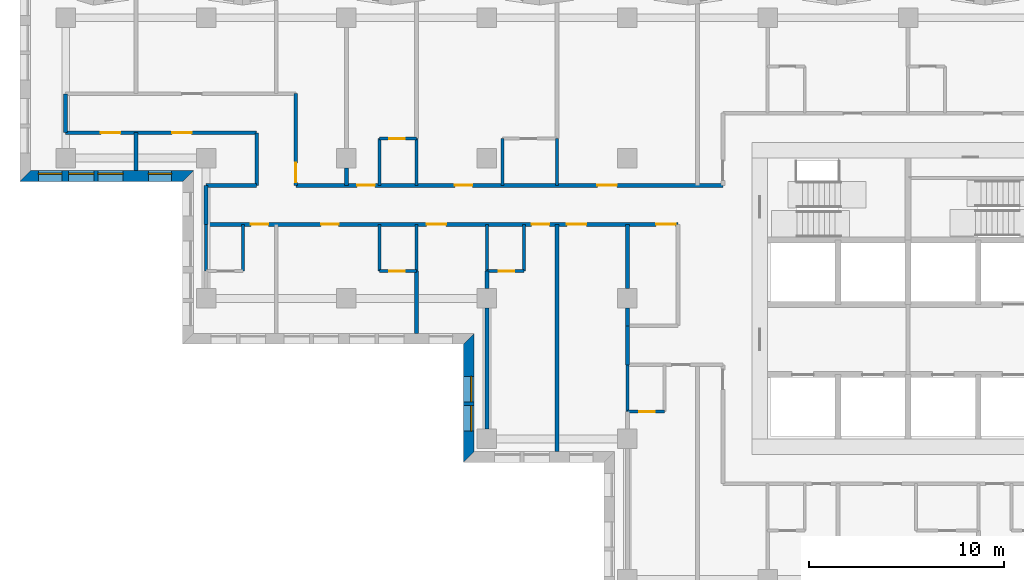
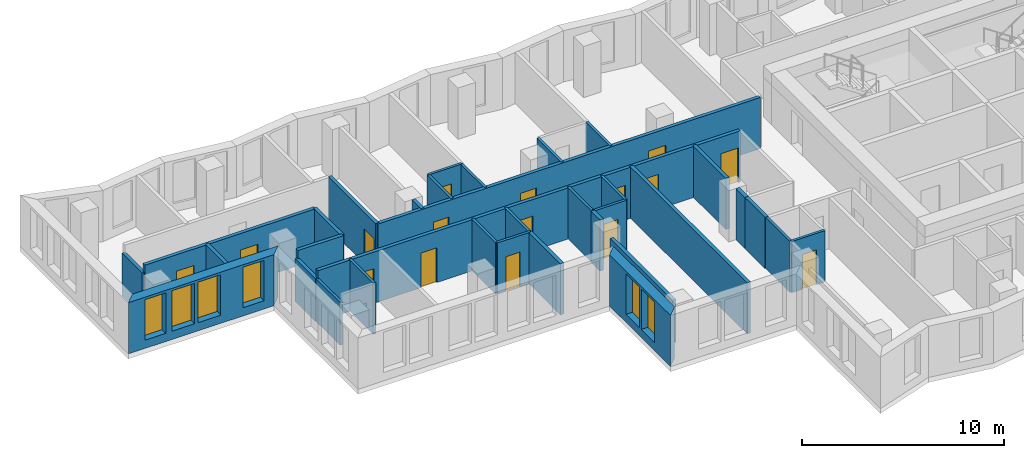
# One storey, part 4 of 13: 34 walls, 16 doors, 6 windows, 22 openings.
"""IFC4 building model written with IfcOpenShell, lengths in metres."""

from ifc_helpers import new_model, si_unit, direction, frame, frame_2d, origin, place, context, subcontext, project, spatial, polyline, rectangle, outline, extrude, material, layer, layer_set, type_object, element, fill, save


model = new_model("IFC4")

# Units and contexts
model_context = context("Model", 3, precision=1e-05, world=origin(), true_north=direction((0.0, 1.0)))
body_context = subcontext(model_context, "Body", "Model", "MODEL_VIEW")
ifc_project = project(units=[si_unit("LENGTHUNIT", "METRE"), si_unit("AREAUNIT", "SQUARE_METRE"), si_unit("VOLUMEUNIT", "CUBIC_METRE"), si_unit("PLANEANGLEUNIT", "RADIAN"), si_unit("MASSUNIT", "GRAM", prefix="KILO")], contexts=[model_context])

# Site, building, storey
site_placement = place(None, origin())
site = spatial("IfcSite", under=ifc_project, at=site_placement, CompositionType="ELEMENT")
building_placement = place(site_placement, origin())
building = spatial("IfcBuilding", under=site, at=building_placement, Name="Windrow Commons", CompositionType="ELEMENT")
storey_placement = place(building_placement, frame((0.0, 0.0, 108.4)))
storey = spatial("IfcBuildingStorey", under=building, at=storey_placement, Name="L29", CompositionType="ELEMENT", Elevation=108.4)

# Wall, openings, windows
ifc_material_1 = material(Name="Brick masonry, red clay brick", Category="masonry")
ifc_layer_1 = layer(ifc_material_1, 0.55)
ifc_layer_set_1 = layer_set([ifc_layer_1], Name="Brick facade wall 550")
wall_type_1 = type_object("IfcWallType", Name="Brick facade wall 550", PredefinedType="SOLIDWALL", material=ifc_layer_set_1)
wall_1_placement = place(storey_placement, frame((19.533, 63.875, 0.0), z_axis=(0.0, 0.0, 1.0), x_axis=(1.0, 0.0, 0.0)))
wall_1 = element("IfcWall", 1, at=wall_1_placement, inside=storey, type_object=wall_type_1, Name="Brick facade wall L29 38", PredefinedType="SOLIDWALL", context=body_context, shape_type="SweptSolid", body=[
    extrude(outline(polyline([(-0.275, -0.275), (8.067, -0.275), (8.617, 0.275), (0.275, 0.275), (-0.275, -0.275)])), origin(), (0.0, 0.0, 1.0), 3.1),
])
opening_1_placement = place(wall_1_placement, frame((2.217, 0.0, 0.5)))
opening_1 = element("IfcOpeningElement", 2, at=opening_1_placement, cuts=wall_1, Name="Opening W1P", PredefinedType="OPENING", context=body_context, shape_type="SweptSolid", body=[
    extrude(rectangle(XDim=1.3, YDim=2.45, at=frame_2d((0.65, 1.225))), frame((0.0, 0.285, 0.0), z_axis=(0.0, -1.0, 0.0), x_axis=(1.0, 0.0, 0.0)), (0.0, 0.0, 1.0), 0.57),
])
opening_2_placement = place(wall_1_placement, frame((3.717, 0.0, 0.5)))
opening_2 = element("IfcOpeningElement", 3, at=opening_2_placement, cuts=wall_1, Name="Opening W1P", PredefinedType="OPENING", context=body_context, shape_type="SweptSolid", body=[
    extrude(rectangle(XDim=1.3, YDim=2.45, at=frame_2d((0.65, 1.225))), frame((0.0, 0.285, 0.0), z_axis=(0.0, -1.0, 0.0), x_axis=(1.0, 0.0, 0.0)), (0.0, 0.0, 1.0), 0.57),
])
opening_3_placement = place(wall_1_placement, frame((0.671, 0.0, 0.5)))
opening_3 = element("IfcOpeningElement", 4, at=opening_3_placement, cuts=wall_1, Name="Opening W7D", PredefinedType="OPENING", context=body_context, shape_type="SweptSolid", body=[
    extrude(rectangle(XDim=1.2, YDim=2.45, at=frame_2d((0.6, 1.225))), frame((0.0, 0.285, 0.0), z_axis=(0.0, -1.0, 0.0), x_axis=(1.0, 0.0, 0.0)), (0.0, 0.0, 1.0), 0.57),
])
opening_4_placement = place(wall_1_placement, frame((6.3045, 0.0, 0.5)))
opening_4 = element("IfcOpeningElement", 5, at=opening_4_placement, cuts=wall_1, Name="Opening W7D", PredefinedType="OPENING", context=body_context, shape_type="SweptSolid", body=[
    extrude(rectangle(XDim=1.2, YDim=2.45, at=frame_2d((0.6, 1.225))), frame((0.0, 0.285, 0.0), z_axis=(0.0, -1.0, 0.0), x_axis=(1.0, 0.0, 0.0)), (0.0, 0.0, 1.0), 0.57),
])
ifc_material_2 = material(Name="Clear float glass in anodised aluminium frame", Category="aluminium")
window_type_1 = type_object("IfcWindowType", Name="Window W1P pair 1300x2450", PartitioningType="SINGLE_PANEL", PredefinedType="WINDOW", material=ifc_material_2)
window_1_placement = place(opening_1_placement, origin())
window_1 = element("IfcWindow", 6, at=window_1_placement, inside=storey, type_object=window_type_1, Name="Window L29 38.1A", OverallHeight=2.45, OverallWidth=1.3, PartitioningType="SINGLE_PANEL", PredefinedType="WINDOW", context=body_context, shape_type="SweptSolid", body=[
    extrude(rectangle(XDim=1.3, YDim=2.45, at=frame_2d((0.65, 1.225))), frame((0.0, 0.155, 0.0), z_axis=(0.0, -1.0, 0.0), x_axis=(1.0, 0.0, 0.0)), (0.0, 0.0, 1.0), 0.06),
])
fill(opening_1, window_1)
window_2_placement = place(opening_2_placement, origin())
window_2 = element("IfcWindow", 7, at=window_2_placement, inside=storey, type_object=window_type_1, Name="Window L29 38.1B", OverallHeight=2.45, OverallWidth=1.3, PartitioningType="SINGLE_PANEL", PredefinedType="WINDOW", context=body_context, shape_type="SweptSolid", body=[
    extrude(rectangle(XDim=1.3, YDim=2.45, at=frame_2d((0.65, 1.225))), frame((0.0, 0.155, 0.0), z_axis=(0.0, -1.0, 0.0), x_axis=(1.0, 0.0, 0.0)), (0.0, 0.0, 1.0), 0.06),
])
fill(opening_2, window_2)
ifc_material_3 = material(Name="Clear float glass in anodised aluminium frame", Category="aluminium")
window_type_2 = type_object("IfcWindowType", Name="Window W7 notch 1200x2450", PartitioningType="SINGLE_PANEL", PredefinedType="WINDOW", material=ifc_material_3)
window_3_placement = place(opening_3_placement, origin())
window_3 = element("IfcWindow", 8, at=window_3_placement, inside=storey, type_object=window_type_2, Name="Window L29 38.2", OverallHeight=2.45, OverallWidth=1.2, PartitioningType="SINGLE_PANEL", PredefinedType="WINDOW", context=body_context, shape_type="SweptSolid", body=[
    extrude(rectangle(XDim=1.2, YDim=2.45, at=frame_2d((0.6, 1.225))), frame((0.0, 0.155, 0.0), z_axis=(0.0, -1.0, 0.0), x_axis=(1.0, 0.0, 0.0)), (0.0, 0.0, 1.0), 0.06),
])
fill(opening_3, window_3)
window_4_placement = place(opening_4_placement, origin())
window_4 = element("IfcWindow", 9, at=window_4_placement, inside=storey, type_object=window_type_2, Name="Window L29 38.3", OverallHeight=2.45, OverallWidth=1.2, PartitioningType="SINGLE_PANEL", PredefinedType="WINDOW", context=body_context, shape_type="SweptSolid", body=[
    extrude(rectangle(XDim=1.2, YDim=2.45, at=frame_2d((0.6, 1.225))), frame((0.0, 0.155, 0.0), z_axis=(0.0, -1.0, 0.0), x_axis=(1.0, 0.0, 0.0)), (0.0, 0.0, 1.0), 0.06),
])
fill(opening_4, window_4)

wall_2_placement = place(storey_placement, frame((42.275, 55.533, 0.0), z_axis=(0.0, 0.0, 1.0), x_axis=(0.0, -1.0, 0.0)))
wall_2 = element("IfcWall", 10, at=wall_2_placement, inside=storey, type_object=wall_type_1, Name="Brick facade wall L29 41", PredefinedType="SOLIDWALL", context=body_context, shape_type="SweptSolid", body=[
    extrude(outline(polyline([(0.275, -0.275), (6.333, -0.275), (5.783, 0.275), (-0.275, 0.275), (0.275, -0.275)])), origin(), (0.0, 0.0, 1.0), 3.1),
])
opening_5_placement = place(wall_2_placement, frame((1.933, 0.0, 0.5)))
opening_5 = element("IfcOpeningElement", 11, at=opening_5_placement, cuts=wall_2, Name="Opening W1P", PredefinedType="OPENING", context=body_context, shape_type="SweptSolid", body=[
    extrude(rectangle(XDim=1.3, YDim=2.45, at=frame_2d((0.65, 1.225))), frame((0.0, 0.285, 0.0), z_axis=(0.0, -1.0, 0.0), x_axis=(1.0, 0.0, 0.0)), (0.0, 0.0, 1.0), 0.57),
])
opening_6_placement = place(wall_2_placement, frame((3.433, 0.0, 0.5)))
opening_6 = element("IfcOpeningElement", 12, at=opening_6_placement, cuts=wall_2, Name="Opening W1P", PredefinedType="OPENING", context=body_context, shape_type="SweptSolid", body=[
    extrude(rectangle(XDim=1.3, YDim=2.45, at=frame_2d((0.65, 1.225))), frame((0.0, 0.285, 0.0), z_axis=(0.0, -1.0, 0.0), x_axis=(1.0, 0.0, 0.0)), (0.0, 0.0, 1.0), 0.57),
])
window_5_placement = place(opening_5_placement, origin())
window_5 = element("IfcWindow", 13, at=window_5_placement, inside=storey, type_object=window_type_1, Name="Window L29 41.1A", OverallHeight=2.45, OverallWidth=1.3, PartitioningType="SINGLE_PANEL", PredefinedType="WINDOW", context=body_context, shape_type="SweptSolid", body=[
    extrude(rectangle(XDim=1.3, YDim=2.45, at=frame_2d((0.65, 1.225))), frame((0.0, 0.155, 0.0), z_axis=(0.0, -1.0, 0.0), x_axis=(1.0, 0.0, 0.0)), (0.0, 0.0, 1.0), 0.06),
])
fill(opening_5, window_5)
window_6_placement = place(opening_6_placement, origin())
window_6 = element("IfcWindow", 14, at=window_6_placement, inside=storey, type_object=window_type_1, Name="Window L29 41.1B", OverallHeight=2.45, OverallWidth=1.3, PartitioningType="SINGLE_PANEL", PredefinedType="WINDOW", context=body_context, shape_type="SweptSolid", body=[
    extrude(rectangle(XDim=1.3, YDim=2.45, at=frame_2d((0.65, 1.225))), frame((0.0, 0.155, 0.0), z_axis=(0.0, -1.0, 0.0), x_axis=(1.0, 0.0, 0.0)), (0.0, 0.0, 1.0), 0.06),
])
fill(opening_6, window_6)

# Wall, openings, doors
ifc_material_4 = material(Name="Blockwork partition", Category="masonry")
ifc_layer_2 = layer(ifc_material_4, 0.2)
ifc_layer_set_2 = layer_set([ifc_layer_2], Name="IW-CORRIDOR-200")
wall_type_2 = type_object("IfcWallType", Name="IW-CORRIDOR-200", PredefinedType="PARTITIONING", material=ifc_layer_set_2)
wall_3_placement = place(storey_placement, frame((28.8, 61.4, 0.0), z_axis=(0.0, 0.0, 1.0), x_axis=(1.0, 0.0, 0.0)))
wall_3 = element("IfcWall", 15, at=wall_3_placement, inside=storey, type_object=wall_type_2, Name="W-L29-W000", PredefinedType="PARTITIONING", context=body_context, shape_type="SweptSolid", body=[
    extrude(rectangle(XDim=24.2, YDim=0.2, at=frame_2d((12.1, 0.0))), origin(), (0.0, 0.0, 1.0), 3.1),
])
opening_7_placement = place(wall_3_placement, frame((2.3, 0.0, 0.0)))
opening_7 = element("IfcOpeningElement", 16, at=opening_7_placement, cuts=wall_3, Name="Opening D109S", PredefinedType="OPENING", context=body_context, shape_type="SweptSolid", body=[
    extrude(rectangle(XDim=0.9, YDim=2.1, at=frame_2d((0.45, 1.05))), frame((0.0, 0.11, 0.0), z_axis=(0.0, -1.0, 0.0), x_axis=(1.0, 0.0, 0.0)), (0.0, 0.0, 1.0), 0.22),
])
opening_8_placement = place(wall_3_placement, frame((5.9006, 0.0, 0.0)))
opening_8 = element("IfcOpeningElement", 17, at=opening_8_placement, cuts=wall_3, Name="Opening D109F", PredefinedType="OPENING", context=body_context, shape_type="SweptSolid", body=[
    extrude(rectangle(XDim=0.9, YDim=2.1, at=frame_2d((0.45, 1.05))), frame((0.0, 0.11, 0.0), z_axis=(0.0, -1.0, 0.0), x_axis=(1.0, 0.0, 0.0)), (0.0, 0.0, 1.0), 0.22),
])
opening_9_placement = place(wall_3_placement, frame((11.3075, 0.0, 0.0)))
opening_9 = element("IfcOpeningElement", 18, at=opening_9_placement, cuts=wall_3, Name="Opening D310F", PredefinedType="OPENING", context=body_context, shape_type="SweptSolid", body=[
    extrude(rectangle(XDim=1.0, YDim=2.1, at=frame_2d((0.5, 1.05))), frame((0.0, 0.11, 0.0), z_axis=(0.0, -1.0, 0.0), x_axis=(1.0, 0.0, 0.0)), (0.0, 0.0, 1.0), 0.22),
])
opening_10_placement = place(wall_3_placement, frame((16.7, 0.0, 0.0)))
opening_10 = element("IfcOpeningElement", 19, at=opening_10_placement, cuts=wall_3, Name="Opening D109S", PredefinedType="OPENING", context=body_context, shape_type="SweptSolid", body=[
    extrude(rectangle(XDim=0.9, YDim=2.1, at=frame_2d((0.45, 1.05))), frame((0.0, 0.11, 0.0), z_axis=(0.0, -1.0, 0.0), x_axis=(1.0, 0.0, 0.0)), (0.0, 0.0, 1.0), 0.22),
])
opening_11_placement = place(wall_3_placement, frame((18.5075, 0.0, 0.0)))
opening_11 = element("IfcOpeningElement", 20, at=opening_11_placement, cuts=wall_3, Name="Opening D310F", PredefinedType="OPENING", context=body_context, shape_type="SweptSolid", body=[
    extrude(rectangle(XDim=1.0, YDim=2.1, at=frame_2d((0.5, 1.05))), frame((0.0, 0.11, 0.0), z_axis=(0.0, -1.0, 0.0), x_axis=(1.0, 0.0, 0.0)), (0.0, 0.0, 1.0), 0.22),
])
opening_12_placement = place(wall_3_placement, frame((23.0741, 0.0, 0.0)))
opening_12 = element("IfcOpeningElement", 21, at=opening_12_placement, cuts=wall_3, Name="Opening D410F", PredefinedType="OPENING", context=body_context, shape_type="SweptSolid", body=[
    extrude(rectangle(XDim=1.0, YDim=2.1, at=frame_2d((0.5, 1.05))), frame((0.0, 0.11, 0.0), z_axis=(0.0, -1.0, 0.0), x_axis=(1.0, 0.0, 0.0)), (0.0, 0.0, 1.0), 0.22),
])
ifc_material_5 = material(Name="Timber door leaf", Category="wood")
door_type_1 = type_object("IfcDoorType", Name="DT-AMENITY-1000", OperationType="SINGLE_SWING_LEFT", PredefinedType="DOOR", material=ifc_material_5)
door_1_placement = place(opening_9_placement, origin())
door_1 = element("IfcDoor", 22, at=door_1_placement, inside=storey, type_object=door_type_1, Name="D-L29-D016", OperationType="SINGLE_SWING_RIGHT", OverallHeight=2.1, OverallWidth=1.0, PredefinedType="DOOR", context=body_context, shape_type="SweptSolid", body=[
    extrude(rectangle(XDim=1.0, YDim=2.1, at=frame_2d((0.5, 1.05))), frame((0.0, 0.025, 0.0), z_axis=(0.0, -1.0, 0.0), x_axis=(1.0, 0.0, 0.0)), (0.0, 0.0, 1.0), 0.05),
])
fill(opening_9, door_1)
door_2_placement = place(opening_11_placement, origin())
door_2 = element("IfcDoor", 23, at=door_2_placement, inside=storey, type_object=door_type_1, Name="D-L29-D019", OperationType="SINGLE_SWING_RIGHT", OverallHeight=2.1, OverallWidth=1.0, PredefinedType="DOOR", context=body_context, shape_type="SweptSolid", body=[
    extrude(rectangle(XDim=1.0, YDim=2.1, at=frame_2d((0.5, 1.05))), frame((0.0, 0.025, 0.0), z_axis=(0.0, -1.0, 0.0), x_axis=(1.0, 0.0, 0.0)), (0.0, 0.0, 1.0), 0.05),
])
fill(opening_11, door_2)
ifc_material_6 = material(Name="Timber door leaf", Category="wood")
door_type_2 = type_object("IfcDoorType", Name="DT-BEDROOM-900", OperationType="SINGLE_SWING_LEFT", PredefinedType="DOOR", material=ifc_material_6)
door_3_placement = place(opening_7_placement, origin())
door_3 = element("IfcDoor", 24, at=door_3_placement, inside=storey, type_object=door_type_2, Name="D-L29-D004", OperationType="SINGLE_SWING_LEFT", OverallHeight=2.1, OverallWidth=0.9, PredefinedType="DOOR", context=body_context, shape_type="SweptSolid", body=[
    extrude(rectangle(XDim=0.9, YDim=2.1, at=frame_2d((0.45, 1.05))), frame((0.0, 0.025, 0.0), z_axis=(0.0, -1.0, 0.0), x_axis=(1.0, 0.0, 0.0)), (0.0, 0.0, 1.0), 0.05),
])
fill(opening_7, door_3)
door_4_placement = place(opening_8_placement, origin())
door_4 = element("IfcDoor", 25, at=door_4_placement, inside=storey, type_object=door_type_2, Name="D-L29-D006", OperationType="SINGLE_SWING_RIGHT", OverallHeight=2.1, OverallWidth=0.9, PredefinedType="DOOR", context=body_context, shape_type="SweptSolid", body=[
    extrude(rectangle(XDim=0.9, YDim=2.1, at=frame_2d((0.45, 1.05))), frame((0.0, 0.025, 0.0), z_axis=(0.0, -1.0, 0.0), x_axis=(1.0, 0.0, 0.0)), (0.0, 0.0, 1.0), 0.05),
])
fill(opening_8, door_4)
door_5_placement = place(opening_10_placement, origin())
door_5 = element("IfcDoor", 26, at=door_5_placement, inside=storey, type_object=door_type_2, Name="D-L29-D017", OperationType="SINGLE_SWING_LEFT", OverallHeight=2.1, OverallWidth=0.9, PredefinedType="DOOR", context=body_context, shape_type="SweptSolid", body=[
    extrude(rectangle(XDim=0.9, YDim=2.1, at=frame_2d((0.45, 1.05))), frame((0.0, 0.025, 0.0), z_axis=(0.0, -1.0, 0.0), x_axis=(1.0, 0.0, 0.0)), (0.0, 0.0, 1.0), 0.05),
])
fill(opening_10, door_5)
ifc_material_7 = material(Name="Timber door leaf", Category="wood")
door_type_3 = type_object("IfcDoorType", Name="DT-SERVICE-1000", OperationType="SINGLE_SWING_LEFT", PredefinedType="DOOR", material=ifc_material_7)
door_6_placement = place(opening_12_placement, origin())
door_6 = element("IfcDoor", 27, at=door_6_placement, inside=storey, type_object=door_type_3, Name="D-L29-D020", OperationType="SINGLE_SWING_LEFT", OverallHeight=2.1, OverallWidth=1.0, PredefinedType="DOOR", context=body_context, shape_type="SweptSolid", body=[
    extrude(rectangle(XDim=1.0, YDim=2.1, at=frame_2d((0.5, 1.05))), frame((0.0, 0.025, 0.0), z_axis=(0.0, -1.0, 0.0), x_axis=(1.0, 0.0, 0.0)), (0.0, 0.0, 1.0), 0.05),
])
fill(opening_12, door_6)

wall_4_placement = place(storey_placement, frame((33.4, 63.4, 0.0), z_axis=(0.0, 0.0, 1.0), x_axis=(1.0, 0.0, 0.0)))
wall_4 = element("IfcWall", 28, at=wall_4_placement, inside=storey, type_object=wall_type_2, Name="W-L29-W001", PredefinedType="PARTITIONING", context=body_context, shape_type="SweptSolid", body=[
    extrude(rectangle(XDim=21.9, YDim=0.2, at=frame_2d((10.95, 0.0))), origin(), (0.0, 0.0, 1.0), 3.1),
])
opening_13_placement = place(wall_4_placement, frame((3.1517, 0.0, 0.0)))
opening_13 = element("IfcOpeningElement", 29, at=opening_13_placement, cuts=wall_4, Name="Opening D109S", PredefinedType="OPENING", context=body_context, shape_type="SweptSolid", body=[
    extrude(rectangle(XDim=0.9, YDim=2.1, at=frame_2d((0.45, 1.05))), frame((0.0, 0.11, 0.0), z_axis=(0.0, -1.0, 0.0), x_axis=(1.0, 0.0, 0.0)), (0.0, 0.0, 1.0), 0.22),
])
opening_14_placement = place(wall_4_placement, frame((8.1607, 0.0, 0.0)))
opening_14 = element("IfcOpeningElement", 30, at=opening_14_placement, cuts=wall_4, Name="Opening D109F", PredefinedType="OPENING", context=body_context, shape_type="SweptSolid", body=[
    extrude(rectangle(XDim=0.9, YDim=2.1, at=frame_2d((0.45, 1.05))), frame((0.0, 0.11, 0.0), z_axis=(0.0, -1.0, 0.0), x_axis=(1.0, 0.0, 0.0)), (0.0, 0.0, 1.0), 0.22),
])
opening_15_placement = place(wall_4_placement, frame((15.4712, 0.0, 0.0)))
opening_15 = element("IfcOpeningElement", 31, at=opening_15_placement, cuts=wall_4, Name="Opening D310F", PredefinedType="OPENING", context=body_context, shape_type="SweptSolid", body=[
    extrude(rectangle(XDim=1.0, YDim=2.1, at=frame_2d((0.5, 1.05))), frame((0.0, 0.11, 0.0), z_axis=(0.0, -1.0, 0.0), x_axis=(1.0, 0.0, 0.0)), (0.0, 0.0, 1.0), 0.22),
])
door_7_placement = place(opening_15_placement, origin())
door_7 = element("IfcDoor", 32, at=door_7_placement, inside=storey, type_object=door_type_1, Name="D-L29-D013", OperationType="SINGLE_SWING_LEFT", OverallHeight=2.1, OverallWidth=1.0, PredefinedType="DOOR", context=body_context, shape_type="SweptSolid", body=[
    extrude(rectangle(XDim=1.0, YDim=2.1, at=frame_2d((0.5, 1.05))), frame((0.0, 0.025, 0.0), z_axis=(0.0, -1.0, 0.0), x_axis=(1.0, 0.0, 0.0)), (0.0, 0.0, 1.0), 0.05),
])
fill(opening_15, door_7)
door_8_placement = place(opening_13_placement, origin())
door_8 = element("IfcDoor", 33, at=door_8_placement, inside=storey, type_object=door_type_2, Name="D-L29-D009", OperationType="SINGLE_SWING_RIGHT", OverallHeight=2.1, OverallWidth=0.9, PredefinedType="DOOR", context=body_context, shape_type="SweptSolid", body=[
    extrude(rectangle(XDim=0.9, YDim=2.1, at=frame_2d((0.45, 1.05))), frame((0.0, 0.025, 0.0), z_axis=(0.0, -1.0, 0.0), x_axis=(1.0, 0.0, 0.0)), (0.0, 0.0, 1.0), 0.05),
])
fill(opening_13, door_8)
door_9_placement = place(opening_14_placement, origin())
door_9 = element("IfcDoor", 34, at=door_9_placement, inside=storey, type_object=door_type_2, Name="D-L29-D011", OperationType="SINGLE_SWING_LEFT", OverallHeight=2.1, OverallWidth=0.9, PredefinedType="DOOR", context=body_context, shape_type="SweptSolid", body=[
    extrude(rectangle(XDim=0.9, YDim=2.1, at=frame_2d((0.45, 1.05))), frame((0.0, 0.025, 0.0), z_axis=(0.0, -1.0, 0.0), x_axis=(1.0, 0.0, 0.0)), (0.0, 0.0, 1.0), 0.05),
])
fill(opening_14, door_9)

wall_5_placement = place(storey_placement, frame((21.602, 66.1, 0.0), z_axis=(0.0, 0.0, 1.0), x_axis=(1.0, 0.0, 0.0)))
wall_5 = element("IfcWall", 35, at=wall_5_placement, inside=storey, type_object=wall_type_2, Name="W-L29-W012", PredefinedType="PARTITIONING", context=body_context, shape_type="SweptSolid", body=[
    extrude(rectangle(XDim=9.796, YDim=0.2, at=frame_2d((4.898, 0.0))), origin(), (0.0, 0.0, 1.0), 3.1),
])
opening_16_placement = place(wall_5_placement, frame((1.8052, 0.0, 0.0)))
opening_16 = element("IfcOpeningElement", 36, at=opening_16_placement, cuts=wall_5, Name="Opening D310F", PredefinedType="OPENING", context=body_context, shape_type="SweptSolid", body=[
    extrude(rectangle(XDim=1.0, YDim=2.1, at=frame_2d((0.5, 1.05))), frame((0.0, 0.11, 0.0), z_axis=(0.0, -1.0, 0.0), x_axis=(1.0, 0.0, 0.0)), (0.0, 0.0, 1.0), 0.22),
])
opening_17_placement = place(wall_5_placement, frame((5.4593, 0.0, 0.0)))
opening_17 = element("IfcOpeningElement", 37, at=opening_17_placement, cuts=wall_5, Name="Opening D310F", PredefinedType="OPENING", context=body_context, shape_type="SweptSolid", body=[
    extrude(rectangle(XDim=1.0, YDim=2.1, at=frame_2d((0.5, 1.05))), frame((0.0, 0.11, 0.0), z_axis=(0.0, -1.0, 0.0), x_axis=(1.0, 0.0, 0.0)), (0.0, 0.0, 1.0), 0.22),
])
door_10_placement = place(opening_16_placement, origin())
door_10 = element("IfcDoor", 38, at=door_10_placement, inside=storey, type_object=door_type_1, Name="D-L29-D001", OperationType="SINGLE_SWING_RIGHT", OverallHeight=2.1, OverallWidth=1.0, PredefinedType="DOOR", context=body_context, shape_type="SweptSolid", body=[
    extrude(rectangle(XDim=1.0, YDim=2.1, at=frame_2d((0.5, 1.05))), frame((0.0, 0.025, 0.0), z_axis=(0.0, -1.0, 0.0), x_axis=(1.0, 0.0, 0.0)), (0.0, 0.0, 1.0), 0.05),
])
fill(opening_16, door_10)
door_11_placement = place(opening_17_placement, origin())
door_11 = element("IfcDoor", 39, at=door_11_placement, inside=storey, type_object=door_type_1, Name="D-L29-D002", OperationType="SINGLE_SWING_RIGHT", OverallHeight=2.1, OverallWidth=1.0, PredefinedType="DOOR", context=body_context, shape_type="SweptSolid", body=[
    extrude(rectangle(XDim=1.0, YDim=2.1, at=frame_2d((0.5, 1.05))), frame((0.0, 0.025, 0.0), z_axis=(0.0, -1.0, 0.0), x_axis=(1.0, 0.0, 0.0)), (0.0, 0.0, 1.0), 0.05),
])
fill(opening_17, door_11)

# Wall, opening, door
wall_6_placement = place(storey_placement, frame((33.4, 63.402, 0.0), z_axis=(0.0, 0.0, 1.0), x_axis=(0.0, 1.0, 0.0)))
wall_6 = element("IfcWall", 40, at=wall_6_placement, inside=storey, type_object=wall_type_2, Name="W-L29-W043", PredefinedType="PARTITIONING", context=body_context, shape_type="SweptSolid", body=[
    extrude(rectangle(XDim=4.698, YDim=0.2, at=frame_2d((2.349, 0.0))), origin(), (0.0, 0.0, 1.0), 3.1),
])
opening_18_placement = place(wall_6_placement, frame((0.1459, 0.0, 0.0)))
opening_18 = element("IfcOpeningElement", 41, at=opening_18_placement, cuts=wall_6, Name="Opening D310F", PredefinedType="OPENING", context=body_context, shape_type="SweptSolid", body=[
    extrude(rectangle(XDim=1.0, YDim=2.1, at=frame_2d((0.5, 1.05))), frame((0.0, 0.11, 0.0), z_axis=(0.0, -1.0, 0.0), x_axis=(1.0, 0.0, 0.0)), (0.0, 0.0, 1.0), 0.22),
])
door_12_placement = place(opening_18_placement, origin())
door_12 = element("IfcDoor", 42, at=door_12_placement, inside=storey, type_object=door_type_1, Name="D-L29-D008", OperationType="SINGLE_SWING_LEFT", OverallHeight=2.1, OverallWidth=1.0, PredefinedType="DOOR", context=body_context, shape_type="SweptSolid", body=[
    extrude(rectangle(XDim=1.0, YDim=2.1, at=frame_2d((0.5, 1.05))), frame((0.0, 0.025, 0.0), z_axis=(0.0, -1.0, 0.0), x_axis=(1.0, 0.0, 0.0)), (0.0, 0.0, 1.0), 0.05),
])
fill(opening_18, door_12)

# Walls
wall_7_placement = place(storey_placement, frame((31.4, 63.402, 0.0), z_axis=(0.0, 0.0, 1.0), x_axis=(0.0, 1.0, 0.0)))
element("IfcWall", 43, at=wall_7_placement, inside=storey, type_object=wall_type_2, Name="W-L29-W061", PredefinedType="PARTITIONING", context=body_context, shape_type="SweptSolid", body=[
    extrude(rectangle(XDim=2.696, YDim=0.2, at=frame_2d((1.348, 0.0))), origin(), (0.0, 0.0, 1.0), 3.1),
])
wall_8_placement = place(storey_placement, frame((28.802, 63.4, 0.0), z_axis=(0.0, 0.0, 1.0), x_axis=(1.0, 0.0, 0.0)))
element("IfcWall", 44, at=wall_8_placement, inside=storey, type_object=wall_type_2, Name="W-L29-W063", PredefinedType="PARTITIONING", context=body_context, shape_type="SweptSolid", body=[
    extrude(rectangle(XDim=2.596, YDim=0.2, at=frame_2d((1.298, 0.0))), origin(), (0.0, 0.0, 1.0), 3.1),
])
wall_9_placement = place(storey_placement, frame((28.8, 61.4, 0.0), z_axis=(0.0, 0.0, 1.0), x_axis=(0.0, 1.0, 0.0)))
element("IfcWall", 45, at=wall_9_placement, inside=storey, type_object=wall_type_2, Name="W-L29-W105", PredefinedType="PARTITIONING", context=body_context, shape_type="SweptSolid", body=[
    extrude(rectangle(XDim=2.0, YDim=0.2, at=frame_2d((1.0, 0.0))), origin(), (0.0, 0.0, 1.0), 2.6),
])
wall_10_placement = place(storey_placement, frame((50.4, 54.2, 0.0), z_axis=(0.0, 0.0, 1.0), x_axis=(0.0, 1.0, 0.0)))
element("IfcWall", 46, at=wall_10_placement, inside=storey, type_object=wall_type_2, Name="W-L29-W106", PredefinedType="PARTITIONING", context=body_context, shape_type="SweptSolid", body=[
    extrude(rectangle(XDim=2.0, YDim=0.2, at=frame_2d((1.0, 0.0))), origin(), (0.0, 0.0, 1.0), 3.1),
])
wall_11_placement = place(storey_placement, frame((21.6, 66.102, 0.0), z_axis=(0.0, 0.0, 1.0), x_axis=(0.0, 1.0, 0.0)))
element("IfcWall", 47, at=wall_11_placement, inside=storey, type_object=wall_type_2, Name="W-L29-W113", PredefinedType="PARTITIONING", context=body_context, shape_type="SweptSolid", body=[
    extrude(rectangle(XDim=1.996, YDim=0.2, at=frame_2d((0.998, 0.0))), origin(), (0.0, 0.0, 1.0), 2.6),
])
ifc_material_8 = material(Name="Blockwork partition", Category="masonry")
ifc_layer_3 = layer(ifc_material_8, 0.15)
ifc_layer_set_3 = layer_set([ifc_layer_3], Name="IW-ENSUITE-150")
wall_type_3 = type_object("IfcWallType", Name="IW-ENSUITE-150", PredefinedType="PARTITIONING", material=ifc_layer_set_3)
for number, where, z_axis, x_axis, name in (
    (48, (50.4, 51.8, 0.0), (0.0, 0.0, 1.0), (0.0, 1.0, 0.0), "W-L29-W071"),
    (49, (30.7, 59.0, 0.0), (0.0, 0.0, 1.0), (0.0, 1.0, 0.0), "W-L29-W076"),
):
    element("IfcWall", number, at=place(storey_placement, frame(where, z_axis=z_axis, x_axis=x_axis)), inside=storey, type_object=wall_type_3, Name=name, PredefinedType="PARTITIONING", context=body_context, shape_type="SweptSolid", body=[
        extrude(rectangle(XDim=2.4, YDim=0.15, at=frame_2d((1.2, 0.0))), origin(), (0.0, 0.0, 1.0), 3.1),
    ])
wall_12_placement = place(storey_placement, frame((28.8, 59.0, 0.0), z_axis=(0.0, 0.0, 1.0), x_axis=(0.0, 1.0, 0.0)))
element("IfcWall", 50, at=wall_12_placement, inside=storey, type_object=wall_type_3, Name="W-L29-W077", PredefinedType="PARTITIONING", context=body_context, shape_type="SweptSolid", body=[
    extrude(rectangle(XDim=2.4, YDim=0.15, at=frame_2d((1.2, 0.0))), origin(), (0.0, 0.0, 1.0), 2.6),
])
for number, where, z_axis, x_axis, name in (
    (51, (37.7, 59.0, 0.0), (0.0, 0.0, 1.0), (0.0, 1.0, 0.0), "W-L29-W078"),
    (52, (37.7, 63.4, 0.0), (0.0, 0.0, 1.0), (0.0, 1.0, 0.0), "W-L29-W079"),
    (53, (39.6, 59.0, 0.0), (0.0, 0.0, 1.0), (0.0, 1.0, 0.0), "W-L29-W080"),
    (54, (39.6, 63.4, 0.0), (0.0, 0.0, 1.0), (0.0, 1.0, 0.0), "W-L29-W081"),
    (55, (45.1, 59.0, 0.0), (0.0, 0.0, 1.0), (0.0, 1.0, 0.0), "W-L29-W082"),
    (56, (43.2, 59.0, 0.0), (0.0, 0.0, 1.0), (0.0, 1.0, 0.0), "W-L29-W083"),
    (57, (44.0, 63.4, 0.0), (0.0, 0.0, 1.0), (0.0, 1.0, 0.0), "W-L29-W084"),
    (58, (46.8, 63.4, 0.0), (0.0, 0.0, 1.0), (0.0, 1.0, 0.0), "W-L29-W085"),
):
    element("IfcWall", number, at=place(storey_placement, frame(where, z_axis=z_axis, x_axis=x_axis)), inside=storey, type_object=wall_type_3, Name=name, PredefinedType="PARTITIONING", context=body_context, shape_type="SweptSolid", body=[
        extrude(rectangle(XDim=2.4, YDim=0.15, at=frame_2d((1.2, 0.0))), origin(), (0.0, 0.0, 1.0), 3.1),
    ])

# Wall, opening, door
wall_13_placement = place(storey_placement, frame((37.7, 59.0, 0.0), z_axis=(0.0, 0.0, 1.0), x_axis=(1.0, 0.0, 0.0)))
wall_13 = element("IfcWall", 59, at=wall_13_placement, inside=storey, type_object=wall_type_3, Name="W-L29-W122", PredefinedType="PARTITIONING", context=body_context, shape_type="SweptSolid", body=[
    extrude(rectangle(XDim=1.9, YDim=0.15, at=frame_2d((0.95, 0.0))), origin(), (0.0, 0.0, 1.0), 3.1),
])
opening_19_placement = place(wall_13_placement, frame((0.4931, 0.0, 0.0)))
opening_19 = element("IfcOpeningElement", 60, at=opening_19_placement, cuts=wall_13, Name="Opening D208N", PredefinedType="OPENING", context=body_context, shape_type="SweptSolid", body=[
    extrude(rectangle(XDim=0.8, YDim=2.1, at=frame_2d((0.4, 1.05))), frame((0.0, 0.085, 0.0), z_axis=(0.0, -1.0, 0.0), x_axis=(1.0, 0.0, 0.0)), (0.0, 0.0, 1.0), 0.17),
])
ifc_material_9 = material(Name="Timber door leaf", Category="wood")
door_type_4 = type_object("IfcDoorType", Name="DT-ENSUITE-800", OperationType="SINGLE_SWING_LEFT", PredefinedType="DOOR", material=ifc_material_9)
door_13_placement = place(opening_19_placement, origin())
door_13 = element("IfcDoor", 61, at=door_13_placement, inside=storey, type_object=door_type_4, Name="D-L29-D007", OperationType="SINGLE_SWING_RIGHT", OverallHeight=2.1, OverallWidth=0.8, PredefinedType="DOOR", context=body_context, shape_type="SweptSolid", body=[
    extrude(rectangle(XDim=0.8, YDim=2.1, at=frame_2d((0.4, 1.05))), frame((0.0, 0.025, 0.0), z_axis=(0.0, -1.0, 0.0), x_axis=(1.0, 0.0, 0.0)), (0.0, 0.0, 1.0), 0.05),
])
fill(opening_19, door_13)

wall_14_placement = place(storey_placement, frame((43.2, 59.0, 0.0), z_axis=(0.0, 0.0, 1.0), x_axis=(1.0, 0.0, 0.0)))
wall_14 = element("IfcWall", 62, at=wall_14_placement, inside=storey, type_object=wall_type_3, Name="W-L29-W123", PredefinedType="PARTITIONING", context=body_context, shape_type="SweptSolid", body=[
    extrude(rectangle(XDim=1.9, YDim=0.15, at=frame_2d((0.95, 0.0))), origin(), (0.0, 0.0, 1.0), 3.1),
])
opening_20_placement = place(wall_14_placement, frame((0.6069, 0.0, 0.0)))
opening_20 = element("IfcOpeningElement", 63, at=opening_20_placement, cuts=wall_14, Name="Opening D208N", PredefinedType="OPENING", context=body_context, shape_type="SweptSolid", body=[
    extrude(rectangle(XDim=0.8, YDim=2.1, at=frame_2d((0.4, 1.05))), frame((0.0, 0.085, 0.0), z_axis=(0.0, -1.0, 0.0), x_axis=(1.0, 0.0, 0.0)), (0.0, 0.0, 1.0), 0.17),
])
door_14_placement = place(opening_20_placement, origin())
door_14 = element("IfcDoor", 64, at=door_14_placement, inside=storey, type_object=door_type_4, Name="D-L29-D018", OperationType="SINGLE_SWING_RIGHT", OverallHeight=2.1, OverallWidth=0.8, PredefinedType="DOOR", context=body_context, shape_type="SweptSolid", body=[
    extrude(rectangle(XDim=0.8, YDim=2.1, at=frame_2d((0.4, 1.05))), frame((0.0, 0.025, 0.0), z_axis=(0.0, -1.0, 0.0), x_axis=(1.0, 0.0, 0.0)), (0.0, 0.0, 1.0), 0.05),
])
fill(opening_20, door_14)

wall_15_placement = place(storey_placement, frame((37.7, 65.8, 0.0), z_axis=(0.0, 0.0, 1.0), x_axis=(1.0, 0.0, 0.0)))
wall_15 = element("IfcWall", 65, at=wall_15_placement, inside=storey, type_object=wall_type_3, Name="W-L29-W124", PredefinedType="PARTITIONING", context=body_context, shape_type="SweptSolid", body=[
    extrude(rectangle(XDim=1.9, YDim=0.15, at=frame_2d((0.95, 0.0))), origin(), (0.0, 0.0, 1.0), 3.1),
])
opening_21_placement = place(wall_15_placement, frame((0.4931, 0.0, 0.0)))
opening_21 = element("IfcOpeningElement", 66, at=opening_21_placement, cuts=wall_15, Name="Opening D208N", PredefinedType="OPENING", context=body_context, shape_type="SweptSolid", body=[
    extrude(rectangle(XDim=0.8, YDim=2.1, at=frame_2d((0.4, 1.05))), frame((0.0, 0.085, 0.0), z_axis=(0.0, -1.0, 0.0), x_axis=(1.0, 0.0, 0.0)), (0.0, 0.0, 1.0), 0.17),
])
door_15_placement = place(opening_21_placement, origin())
door_15 = element("IfcDoor", 67, at=door_15_placement, inside=storey, type_object=door_type_4, Name="D-L29-D010", OperationType="SINGLE_SWING_RIGHT", OverallHeight=2.1, OverallWidth=0.8, PredefinedType="DOOR", context=body_context, shape_type="SweptSolid", body=[
    extrude(rectangle(XDim=0.8, YDim=2.1, at=frame_2d((0.4, 1.05))), frame((0.0, 0.025, 0.0), z_axis=(0.0, -1.0, 0.0), x_axis=(1.0, 0.0, 0.0)), (0.0, 0.0, 1.0), 0.05),
])
fill(opening_21, door_15)

wall_16_placement = place(storey_placement, frame((50.4, 51.8, 0.0), z_axis=(0.0, 0.0, 1.0), x_axis=(1.0, 0.0, 0.0)))
wall_16 = element("IfcWall", 68, at=wall_16_placement, inside=storey, type_object=wall_type_3, Name="W-L29-W125", PredefinedType="PARTITIONING", context=body_context, shape_type="SweptSolid", body=[
    extrude(rectangle(XDim=1.9, YDim=0.15, at=frame_2d((0.95, 0.0))), origin(), (0.0, 0.0, 1.0), 3.1),
])
opening_22_placement = place(wall_16_placement, frame((0.6069, 0.0, 0.0)))
opening_22 = element("IfcOpeningElement", 69, at=opening_22_placement, cuts=wall_16, Name="Opening D208N", PredefinedType="OPENING", context=body_context, shape_type="SweptSolid", body=[
    extrude(rectangle(XDim=0.8, YDim=2.1, at=frame_2d((0.4, 1.05))), frame((0.0, 0.085, 0.0), z_axis=(0.0, -1.0, 0.0), x_axis=(1.0, 0.0, 0.0)), (0.0, 0.0, 1.0), 0.17),
])
door_16_placement = place(opening_22_placement, origin())
door_16 = element("IfcDoor", 70, at=door_16_placement, inside=storey, type_object=door_type_4, Name="D-L29-D022", OperationType="SINGLE_SWING_RIGHT", OverallHeight=2.1, OverallWidth=0.8, PredefinedType="DOOR", context=body_context, shape_type="SweptSolid", body=[
    extrude(rectangle(XDim=0.8, YDim=2.1, at=frame_2d((0.4, 1.05))), frame((0.0, 0.025, 0.0), z_axis=(0.0, -1.0, 0.0), x_axis=(1.0, 0.0, 0.0)), (0.0, 0.0, 1.0), 0.05),
])
fill(opening_22, door_16)

# Walls
ifc_material_10 = material(Name="Blockwork partition", Category="masonry")
ifc_layer_4 = layer(ifc_material_10, 0.2)
ifc_layer_set_4 = layer_set([ifc_layer_4], Name="IW-PARTY-200")
wall_type_4 = type_object("IfcWallType", Name="IW-PARTY-200", PredefinedType="PARTITIONING", material=ifc_layer_set_4)
wall_17_placement = place(storey_placement, frame((46.8, 49.75, 0.0), z_axis=(0.0, 0.0, 1.0), x_axis=(0.0, 1.0, 0.0)))
element("IfcWall", 71, at=wall_17_placement, inside=storey, type_object=wall_type_4, Name="W-L29-W010", PredefinedType="PARTITIONING", context=body_context, shape_type="SweptSolid", body=[
    extrude(rectangle(XDim=11.65, YDim=0.2, at=frame_2d((5.825, 0.0))), origin(), (0.0, 0.0, 1.0), 3.1),
])
wall_18_placement = place(storey_placement, frame((43.2, 50.9, 0.0), z_axis=(0.0, 0.0, 1.0), x_axis=(0.0, 1.0, 0.0)))
element("IfcWall", 72, at=wall_18_placement, inside=storey, type_object=wall_type_4, Name="W-L29-W025", PredefinedType="PARTITIONING", context=body_context, shape_type="SweptSolid", body=[
    extrude(rectangle(XDim=6.2, YDim=0.2, at=frame_2d((3.1, 0.0))), origin(), (0.0, 0.0, 1.0), 2.6),
])
wall_19_placement = place(storey_placement, frame((50.4, 58.1, 0.0), z_axis=(0.0, 0.0, 1.0), x_axis=(0.0, 1.0, 0.0)))
element("IfcWall", 73, at=wall_19_placement, inside=storey, type_object=wall_type_4, Name="W-L29-W055", PredefinedType="PARTITIONING", context=body_context, shape_type="SweptSolid", body=[
    extrude(rectangle(XDim=3.3, YDim=0.2, at=frame_2d((1.65, 0.0))), origin(), (0.0, 0.0, 1.0), 3.1),
])
wall_20_placement = place(storey_placement, frame((39.6, 55.808, 0.0), z_axis=(0.0, 0.0, 1.0), x_axis=(0.0, 1.0, 0.0)))
element("IfcWall", 74, at=wall_20_placement, inside=storey, type_object=wall_type_4, Name="W-L29-W059", PredefinedType="PARTITIONING", context=body_context, shape_type="SweptSolid", body=[
    extrude(rectangle(XDim=3.192, YDim=0.2, at=frame_2d((1.596, 0.0))), origin(), (0.0, 0.0, 1.0), 3.1),
])
wall_21_placement = place(storey_placement, frame((25.2, 64.15, 0.0), z_axis=(0.0, 0.0, 1.0), x_axis=(0.0, 1.0, 0.0)))
element("IfcWall", 75, at=wall_21_placement, inside=storey, type_object=wall_type_4, Name="W-L29-W128", PredefinedType="PARTITIONING", context=body_context, shape_type="SweptSolid", body=[
    extrude(rectangle(XDim=1.95, YDim=0.2, at=frame_2d((0.975, 0.0))), origin(), (0.0, 0.0, 1.0), 3.1),
])
for number, where, z_axis, x_axis, name in (
    (76, (36.0, 63.4, 0.0), (0.0, 0.0, 1.0), (0.0, 1.0, 0.0), "W-L29-W139"),
    (77, (43.2, 58.1, 0.0), (0.0, 0.0, 1.0), (0.0, 1.0, 0.0), "W-L29-W140"),
    (78, (50.4, 56.2, 0.0), (0.0, 0.0, 1.0), (0.0, 1.0, 0.0), "W-L29-W142"),
):
    element("IfcWall", number, at=place(storey_placement, frame(where, z_axis=z_axis, x_axis=x_axis)), inside=storey, type_object=wall_type_4, Name=name, PredefinedType="PARTITIONING", context=body_context, shape_type="SweptSolid", body=[
        extrude(rectangle(XDim=0.9, YDim=0.2, at=frame_2d((0.45, 0.0))), origin(), (0.0, 0.0, 1.0), 3.1),
    ])

save(model, "model.ifc")
